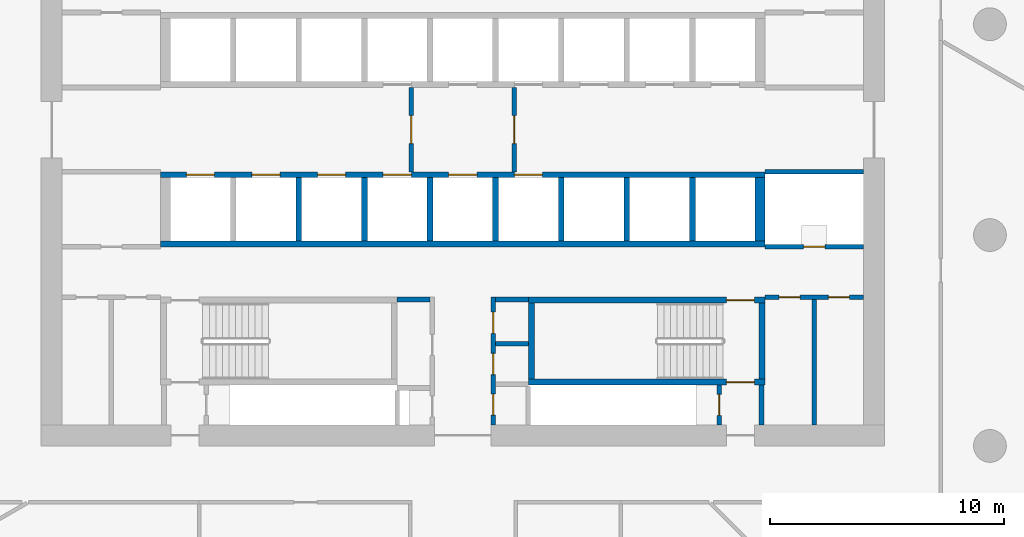
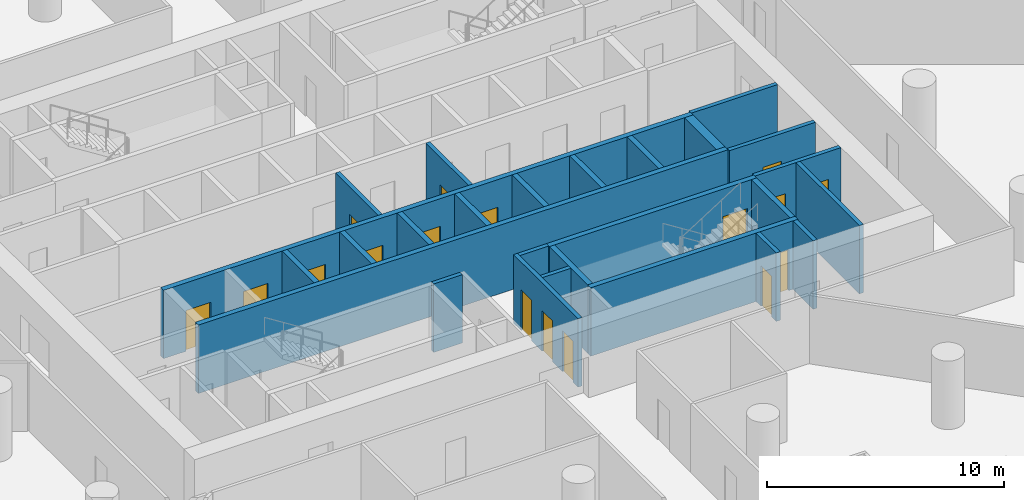
# One storey, part 4 of 10: 26 walls, 17 doors, 17 openings.
"""IFC4 building model written with IfcOpenShell, lengths in metres."""

from ifc_helpers import new_model, si_unit, direction, frame, frame_2d, origin, place, context, subcontext, project, spatial, polyline, rectangle, outline, extrude, material, layer, layer_set, type_object, element, fill, save


model = new_model("IFC4")

# Units and contexts
model_context = context("Model", 3, precision=1e-05, world=origin(), true_north=direction((0.0, 1.0)))
body_context = subcontext(model_context, "Body", "Model", "MODEL_VIEW")
ifc_project = project(units=[si_unit("LENGTHUNIT", "METRE"), si_unit("AREAUNIT", "SQUARE_METRE"), si_unit("VOLUMEUNIT", "CUBIC_METRE"), si_unit("PLANEANGLEUNIT", "RADIAN"), si_unit("MASSUNIT", "GRAM", prefix="KILO")], contexts=[model_context])

# Site, building, storey
site_placement = place(None, origin())
site = spatial("IfcSite", under=ifc_project, at=site_placement, CompositionType="ELEMENT")
building_placement = place(site_placement, origin())
building = spatial("IfcBuilding", under=site, at=building_placement, Name="Dhurran Vertical Campus", CompositionType="ELEMENT")
storey_placement = place(building_placement, frame((0.0, 0.0, 45.60009765625)))
storey = spatial("IfcBuildingStorey", under=building, at=storey_placement, Name="L10", CompositionType="ELEMENT", Elevation=45.60009765625)

# Wall, opening, door
ifc_material_1 = material(Name="Fire-rated masonry blockwork", Category="masonry")
ifc_layer_1 = layer(ifc_material_1, 0.199951171875)
ifc_layer_set_1 = layer_set([ifc_layer_1], Name="Fire-rated masonry blockwork")
wall_type_1 = type_object("IfcWallType", Name="co-FIRE-PARTITION-200", PredefinedType="PARTITIONING", material=ifc_layer_set_1)
wall_1_placement = place(storey_placement, frame((-2.199951171875, -1.800048828125, 0.0), z_axis=(0.0, 0.0, 1.0), x_axis=(0.0, 1.0, 0.0)))
wall_1 = element("IfcWall", 1, at=wall_1_placement, inside=storey, type_object=wall_type_1, Name="Firefighting lobby wall W L10", PredefinedType="PARTITIONING", context=body_context, shape_type="SweptSolid", body=[
    extrude(rectangle(XDim=3.60009765625, YDim=0.199951171875, at=frame_2d((1.800048828125, 0.0))), origin(), (0.0, 0.0, 1.0), 3.52490234375),
])
opening_1_placement = place(wall_1_placement, frame((1.199951171875, 0.0, 0.0)))
opening_1 = element("IfcOpeningElement", 2, at=opening_1_placement, cuts=wall_1, Name="Opening FL1", PredefinedType="OPENING", context=body_context, shape_type="SweptSolid", body=[
    extrude(rectangle(XDim=1.199951171875, YDim=2.10009765625, at=frame_2d((0.60009765625, 1.050048828125))), frame((0.0, 0.10986328125, 0.0), z_axis=(0.0, -1.0, 0.0), x_axis=(1.0, 0.0, 0.0)), (0.0, 0.0, 1.0), 0.219970703125),
])
ifc_material_2 = material(Name="Fire-rated steel door set", Category="steel")
door_type_1 = type_object("IfcDoorType", Name="co-D-FFLOBBY 1200x2100", OperationType="SINGLE_SWING_LEFT", PredefinedType="DOOR", material=ifc_material_2)
door_1_placement = place(opening_1_placement, origin())
door_1 = element("IfcDoor", 3, at=door_1_placement, inside=storey, type_object=door_type_1, Name="Firefighting lobby door W L10", OperationType="SINGLE_SWING_LEFT", OverallHeight=2.10009765625, OverallWidth=1.199951171875, PredefinedType="DOOR", context=body_context, shape_type="SweptSolid", body=[
    extrude(rectangle(XDim=1.199951171875, YDim=2.10009765625, at=frame_2d((0.60009765625, 1.050048828125))), frame((0.0, 0.02490234375, 0.0), z_axis=(0.0, -1.0, 0.0), x_axis=(1.0, 0.0, 0.0)), (0.0, 0.0, 1.0), 0.050048828125),
])
fill(opening_1, door_1)

wall_2_placement = place(storey_placement, frame((2.199951171875, -1.800048828125, 0.0), z_axis=(0.0, 0.0, 1.0), x_axis=(0.0, 1.0, 0.0)))
wall_2 = element("IfcWall", 4, at=wall_2_placement, inside=storey, type_object=wall_type_1, Name="Firefighting lobby wall E L10", PredefinedType="PARTITIONING", context=body_context, shape_type="SweptSolid", body=[
    extrude(rectangle(XDim=3.60009765625, YDim=0.199951171875, at=frame_2d((1.800048828125, 0.0))), origin(), (0.0, 0.0, 1.0), 3.52490234375),
])
opening_2_placement = place(wall_2_placement, frame((1.199951171875, 0.0, 0.0)))
opening_2 = element("IfcOpeningElement", 5, at=opening_2_placement, cuts=wall_2, Name="Opening FL2", PredefinedType="OPENING", context=body_context, shape_type="SweptSolid", body=[
    extrude(rectangle(XDim=1.199951171875, YDim=2.10009765625, at=frame_2d((0.60009765625, 1.050048828125))), frame((0.0, 0.10986328125, 0.0), z_axis=(0.0, -1.0, 0.0), x_axis=(1.0, 0.0, 0.0)), (0.0, 0.0, 1.0), 0.219970703125),
])
door_2_placement = place(opening_2_placement, origin())
door_2 = element("IfcDoor", 6, at=door_2_placement, inside=storey, type_object=door_type_1, Name="Firefighting lobby door E L10", OperationType="SINGLE_SWING_LEFT", OverallHeight=2.10009765625, OverallWidth=1.199951171875, PredefinedType="DOOR", context=body_context, shape_type="SweptSolid", body=[
    extrude(rectangle(XDim=1.199951171875, YDim=2.10009765625, at=frame_2d((0.60009765625, 1.050048828125))), frame((0.0, 0.02490234375, 0.0), z_axis=(0.0, -1.0, 0.0), x_axis=(1.0, 0.0, 0.0)), (0.0, 0.0, 1.0), 0.050048828125),
])
fill(opening_2, door_2)

# Walls
for number, where, z_axis, x_axis, name in (
    (7, (-2.800048828125, -7.25, 0.0), (0.0, 0.0, 1.0), (1.0, 0.0, 0.0), "Core partition sl-SW-S L10"),
    (8, (1.39990234375, -7.25, 0.0), (0.0, 0.0, 1.0), (1.0, 0.0, 0.0), "Core partition sl-SE-S L10"),
    (9, (1.39990234375, -9.135009765625, 0.0), (0.0, 0.0, 1.0), (1.0, 0.0, 0.0), "Core partition sl-SE-cut0 L10"),
):
    element("IfcWall", number, at=place(storey_placement, frame(where, z_axis=z_axis, x_axis=x_axis)), inside=storey, type_object=wall_type_1, Name=name, PredefinedType="PARTITIONING", context=body_context, shape_type="SweptSolid", body=[
        extrude(rectangle(XDim=1.400146484375, YDim=0.199951171875, at=frame_2d((0.7001953125, 0.0))), origin(), (0.0, 0.0, 1.0), 3.52490234375),
    ])

# Wall, openings, doors
wall_3_placement = place(storey_placement, frame((1.300048828125, -12.60009765625, 0.0), z_axis=(0.0, 0.0, 1.0), x_axis=(0.0, 1.0, 0.0)))
wall_3 = element("IfcWall", 10, at=wall_3_placement, inside=storey, type_object=wall_type_1, Name="Core partition vest-SE L10", PredefinedType="PARTITIONING", context=body_context, shape_type="SweptSolid", body=[
    extrude(rectangle(XDim=5.4501953125, YDim=0.199951171875, at=frame_2d((2.72509765625, 0.0))), origin(), (0.0, 0.0, 1.0), 3.52490234375),
])
opening_3_placement = place(wall_3_placement, frame((0.416259765625, 0.0, 0.0)))
opening_3 = element("IfcOpeningElement", 11, at=opening_3_placement, cuts=wall_3, Name="Opening T02-C3", PredefinedType="OPENING", context=body_context, shape_type="SweptSolid", body=[
    extrude(rectangle(XDim=0.89990234375, YDim=2.10009765625, at=frame_2d((0.449951171875, 1.050048828125))), frame((0.0, 0.10986328125, 0.0), z_axis=(0.0, -1.0, 0.0), x_axis=(1.0, 0.0, 0.0)), (0.0, 0.0, 1.0), 0.219970703125),
])
opening_4_placement = place(wall_3_placement, frame((2.148681640625, 0.0, 0.0)))
opening_4 = element("IfcOpeningElement", 12, at=opening_4_placement, cuts=wall_3, Name="Opening T02-C4", PredefinedType="OPENING", context=body_context, shape_type="SweptSolid", body=[
    extrude(rectangle(XDim=0.89990234375, YDim=2.10009765625, at=frame_2d((0.449951171875, 1.050048828125))), frame((0.0, 0.10986328125, 0.0), z_axis=(0.0, -1.0, 0.0), x_axis=(1.0, 0.0, 0.0)), (0.0, 0.0, 1.0), 0.219970703125),
])
opening_5_placement = place(wall_3_placement, frame((3.907470703125, 0.0, 0.0)))
opening_5 = element("IfcOpeningElement", 13, at=opening_5_placement, cuts=wall_3, Name="Opening T02-C5", PredefinedType="OPENING", context=body_context, shape_type="SweptSolid", body=[
    extrude(rectangle(XDim=0.89990234375, YDim=2.10009765625, at=frame_2d((0.449951171875, 1.050048828125))), frame((0.0, 0.10986328125, 0.0), z_axis=(0.0, -1.0, 0.0), x_axis=(1.0, 0.0, 0.0)), (0.0, 0.0, 1.0), 0.219970703125),
])
ifc_material_3 = material(Name="Fire-rated timber door set", Category="wood")
door_type_2 = type_object("IfcDoorType", Name="co-D-ROOM 900x2100", OperationType="SINGLE_SWING_LEFT", PredefinedType="DOOR", material=ifc_material_3)
door_3_placement = place(opening_3_placement, origin())
door_3 = element("IfcDoor", 14, at=door_3_placement, inside=storey, type_object=door_type_2, Name="Housekeeping store door L10", OperationType="SINGLE_SWING_LEFT", OverallHeight=2.10009765625, OverallWidth=0.89990234375, PredefinedType="DOOR", context=body_context, shape_type="SweptSolid", body=[
    extrude(rectangle(XDim=0.89990234375, YDim=2.10009765625, at=frame_2d((0.449951171875, 1.050048828125))), frame((0.0, 0.02490234375, 0.0), z_axis=(0.0, -1.0, 0.0), x_axis=(1.0, 0.0, 0.0)), (0.0, 0.0, 1.0), 0.050048828125),
])
fill(opening_3, door_3)
door_4_placement = place(opening_4_placement, origin())
door_4 = element("IfcDoor", 15, at=door_4_placement, inside=storey, type_object=door_type_2, Name="Print room door L10", OperationType="SINGLE_SWING_LEFT", OverallHeight=2.10009765625, OverallWidth=0.89990234375, PredefinedType="DOOR", context=body_context, shape_type="SweptSolid", body=[
    extrude(rectangle(XDim=0.89990234375, YDim=2.10009765625, at=frame_2d((0.449951171875, 1.050048828125))), frame((0.0, 0.02490234375, 0.0), z_axis=(0.0, -1.0, 0.0), x_axis=(1.0, 0.0, 0.0)), (0.0, 0.0, 1.0), 0.050048828125),
])
fill(opening_4, door_4)
door_5_placement = place(opening_5_placement, origin())
door_5 = element("IfcDoor", 16, at=door_5_placement, inside=storey, type_object=door_type_2, Name="Communications room door L10", OperationType="SINGLE_SWING_LEFT", OverallHeight=2.10009765625, OverallWidth=0.89990234375, PredefinedType="DOOR", context=body_context, shape_type="SweptSolid", body=[
    extrude(rectangle(XDim=0.89990234375, YDim=2.10009765625, at=frame_2d((0.449951171875, 1.050048828125))), frame((0.0, 0.02490234375, 0.0), z_axis=(0.0, -1.0, 0.0), x_axis=(1.0, 0.0, 0.0)), (0.0, 0.0, 1.0), 0.050048828125),
])
fill(opening_5, door_5)

# Wall
wall_4_placement = place(storey_placement, frame((12.75, -12.60009765625, 0.0), z_axis=(0.0, 0.0, 1.0), x_axis=(0.0, 1.0, 0.0)))
element("IfcWall", 17, at=wall_4_placement, inside=storey, type_object=wall_type_1, Name="Core partition pass-ST4-o L10", PredefinedType="PARTITIONING", context=body_context, shape_type="SweptSolid", body=[
    extrude(rectangle(XDim=1.7001953125, YDim=0.199951171875, at=frame_2d((0.85009765625, 0.0))), origin(), (0.0, 0.0, 1.0), 3.52490234375),
])

# Wall, opening, door
wall_5_placement = place(storey_placement, frame((10.949951171875, -12.60009765625, 0.0), z_axis=(0.0, 0.0, 1.0), x_axis=(0.0, 1.0, 0.0)))
wall_5 = element("IfcWall", 18, at=wall_5_placement, inside=storey, type_object=wall_type_1, Name="Core partition pass-ST4-i L10", PredefinedType="PARTITIONING", context=body_context, shape_type="SweptSolid", body=[
    extrude(rectangle(XDim=1.7001953125, YDim=0.199951171875, at=frame_2d((0.85009765625, 0.0))), origin(), (0.0, 0.0, 1.0), 3.52490234375),
])
opening_6_placement = place(wall_5_placement, frame((0.39990234375, 0.0, 0.0)))
opening_6 = element("IfcOpeningElement", 19, at=opening_6_placement, cuts=wall_5, Name="Opening T02-C13", PredefinedType="OPENING", context=body_context, shape_type="SweptSolid", body=[
    extrude(rectangle(XDim=0.89990234375, YDim=2.10009765625, at=frame_2d((0.449951171875, 1.050048828125))), frame((0.0, 0.10986328125, 0.0), z_axis=(0.0, -1.0, 0.0), x_axis=(1.0, 0.0, 0.0)), (0.0, 0.0, 1.0), 0.219970703125),
])
door_6_placement = place(opening_6_placement, origin())
door_6 = element("IfcDoor", 20, at=door_6_placement, inside=storey, type_object=door_type_2, Name="Riser room door L10", OperationType="SINGLE_SWING_LEFT", OverallHeight=2.10009765625, OverallWidth=0.89990234375, PredefinedType="DOOR", context=body_context, shape_type="SweptSolid", body=[
    extrude(rectangle(XDim=0.89990234375, YDim=2.10009765625, at=frame_2d((0.449951171875, 1.050048828125))), frame((0.0, 0.02490234375, 0.0), z_axis=(0.0, -1.0, 0.0), x_axis=(1.0, 0.0, 0.0)), (0.0, 0.0, 1.0), 0.050048828125),
])
fill(opening_6, door_6)

# Wall
wall_6_placement = place(storey_placement, frame((15.0, -12.60009765625, 0.0), z_axis=(0.0, 0.0, 1.0), x_axis=(0.0, 1.0, 0.0)))
element("IfcWall", 21, at=wall_6_placement, inside=storey, type_object=wall_type_1, Name="Core partition en-SE-cut0 L10", PredefinedType="PARTITIONING", context=body_context, shape_type="SweptSolid", body=[
    extrude(rectangle(XDim=5.4501953125, YDim=0.199951171875, at=frame_2d((2.72509765625, 0.0))), origin(), (0.0, 0.0, 1.0), 3.52490234375),
])

# Wall, openings, doors
wall_7_placement = place(storey_placement, frame((12.89990234375, -7.14990234375, 0.0), z_axis=(0.0, 0.0, 1.0), x_axis=(1.0, 0.0, 0.0)))
wall_7 = element("IfcWall", 22, at=wall_7_placement, inside=storey, type_object=wall_type_1, Name="Core partition en-SE-w L10", PredefinedType="PARTITIONING", context=body_context, shape_type="SweptSolid", body=[
    extrude(rectangle(XDim=4.2001953125, YDim=0.199951171875, at=frame_2d((2.10009765625, 0.0))), origin(), (0.0, 0.0, 1.0), 3.52490234375),
])
opening_7_placement = place(wall_7_placement, frame((0.60009765625, 0.0, 0.0)))
opening_7 = element("IfcOpeningElement", 23, at=opening_7_placement, cuts=wall_7, Name="Opening T02-C22", PredefinedType="OPENING", context=body_context, shape_type="SweptSolid", body=[
    extrude(rectangle(XDim=0.89990234375, YDim=2.10009765625, at=frame_2d((0.449951171875, 1.050048828125))), frame((0.0, 0.10986328125, 0.0), z_axis=(0.0, -1.0, 0.0), x_axis=(1.0, 0.0, 0.0)), (0.0, 0.0, 1.0), 0.219970703125),
])
opening_8_placement = place(wall_7_placement, frame((2.699951171875, 0.0, 0.0)))
opening_8 = element("IfcOpeningElement", 24, at=opening_8_placement, cuts=wall_7, Name="Opening T02-C23", PredefinedType="OPENING", context=body_context, shape_type="SweptSolid", body=[
    extrude(rectangle(XDim=0.89990234375, YDim=2.10009765625, at=frame_2d((0.449951171875, 1.050048828125))), frame((0.0, 0.10986328125, 0.0), z_axis=(0.0, -1.0, 0.0), x_axis=(1.0, 0.0, 0.0)), (0.0, 0.0, 1.0), 0.219970703125),
])
door_7_placement = place(opening_7_placement, origin())
door_7 = element("IfcDoor", 25, at=door_7_placement, inside=storey, type_object=door_type_2, Name="Store door L10", OperationType="SINGLE_SWING_LEFT", OverallHeight=2.10009765625, OverallWidth=0.89990234375, PredefinedType="DOOR", context=body_context, shape_type="SweptSolid", body=[
    extrude(rectangle(XDim=0.89990234375, YDim=2.10009765625, at=frame_2d((0.449951171875, 1.050048828125))), frame((0.0, 0.02490234375, 0.0), z_axis=(0.0, -1.0, 0.0), x_axis=(1.0, 0.0, 0.0)), (0.0, 0.0, 1.0), 0.050048828125),
])
fill(opening_7, door_7)
door_8_placement = place(opening_8_placement, origin())
door_8 = element("IfcDoor", 26, at=door_8_placement, inside=storey, type_object=door_type_2, Name="Housekeeping store door L10", OperationType="SINGLE_SWING_LEFT", OverallHeight=2.10009765625, OverallWidth=0.89990234375, PredefinedType="DOOR", context=body_context, shape_type="SweptSolid", body=[
    extrude(rectangle(XDim=0.89990234375, YDim=2.10009765625, at=frame_2d((0.449951171875, 1.050048828125))), frame((0.0, 0.02490234375, 0.0), z_axis=(0.0, -1.0, 0.0), x_axis=(1.0, 0.0, 0.0)), (0.0, 0.0, 1.0), 0.050048828125),
])
fill(opening_8, door_8)

# Wall, opening, door
wall_8_placement = place(storey_placement, frame((12.89990234375, -5.0, 0.0), z_axis=(0.0, 0.0, 1.0), x_axis=(1.0, 0.0, 0.0)))
wall_8 = element("IfcWall", 27, at=wall_8_placement, inside=storey, type_object=wall_type_1, Name="Core partition es-SE-w L10", PredefinedType="PARTITIONING", context=body_context, shape_type="SweptSolid", body=[
    extrude(rectangle(XDim=4.2001953125, YDim=0.199951171875, at=frame_2d((2.10009765625, 0.0))), origin(), (0.0, 0.0, 1.0), 3.52490234375),
])
opening_9_placement = place(wall_8_placement, frame((1.64990234375, 0.0, 0.0)))
opening_9 = element("IfcOpeningElement", 28, at=opening_9_placement, cuts=wall_8, Name="Opening T02-C24", PredefinedType="OPENING", context=body_context, shape_type="SweptSolid", body=[
    extrude(rectangle(XDim=0.89990234375, YDim=2.10009765625, at=frame_2d((0.449951171875, 1.050048828125))), frame((0.0, 0.10986328125, 0.0), z_axis=(0.0, -1.0, 0.0), x_axis=(1.0, 0.0, 0.0)), (0.0, 0.0, 1.0), 0.219970703125),
])
door_9_placement = place(opening_9_placement, origin())
door_9 = element("IfcDoor", 29, at=door_9_placement, inside=storey, type_object=door_type_2, Name="Water riser door L10", OperationType="SINGLE_SWING_LEFT", OverallHeight=2.10009765625, OverallWidth=0.89990234375, PredefinedType="DOOR", context=body_context, shape_type="SweptSolid", body=[
    extrude(rectangle(XDim=0.89990234375, YDim=2.10009765625, at=frame_2d((0.449951171875, 1.050048828125))), frame((0.0, 0.02490234375, 0.0), z_axis=(0.0, -1.0, 0.0), x_axis=(1.0, 0.0, 0.0)), (0.0, 0.0, 1.0), 0.050048828125),
])
fill(opening_9, door_9)

# Wall
wall_9_placement = place(storey_placement, frame((12.89990234375, -1.800048828125, 0.0), z_axis=(0.0, 0.0, 1.0), x_axis=(1.0, 0.0, 0.0)))
element("IfcWall", 30, at=wall_9_placement, inside=storey, type_object=wall_type_1, Name="Core partition es-SE-l L10", PredefinedType="PARTITIONING", context=body_context, shape_type="SweptSolid", body=[
    extrude(rectangle(XDim=4.2001953125, YDim=0.199951171875, at=frame_2d((2.10009765625, 0.0))), origin(), (0.0, 0.0, 1.0), 3.52490234375),
])

# Wall, openings, doors
ifc_material_4 = material(Name="Concrete C50/60", Category="concrete")
ifc_layer_2 = layer(ifc_material_4, 0.25)
ifc_layer_set_2 = layer_set([ifc_layer_2], Name="Concrete C50/60")
wall_type_2 = type_object("IfcWallType", Name="co-SHAFT-FRONT-250", PredefinedType="SHEAR", material=ifc_layer_set_2)
wall_10_placement = place(storey_placement, frame((-12.89990234375, -1.925048828125, 0.0), z_axis=(0.0, 0.0, 1.0), x_axis=(1.0, 0.0, 0.0)))
wall_10 = element("IfcWall", 31, at=wall_10_placement, inside=storey, type_object=wall_type_2, Name="Lift landing wall S L10", PredefinedType="SHEAR", context=body_context, shape_type="SweptSolid", body=[
    extrude(rectangle(XDim=25.7998046875, YDim=0.25, at=frame_2d((12.89990234375, 0.0))), origin(), (0.0, 0.0, 1.0), 3.52490234375),
])
opening_10_placement = place(wall_10_placement, frame((1.10009765625, 0.0, 0.0)))
opening_10 = element("IfcOpeningElement", 32, at=opening_10_placement, cuts=wall_10, Name="Opening LD", PredefinedType="OPENING", context=body_context, shape_type="SweptSolid", body=[
    extrude(rectangle(XDim=1.199951171875, YDim=2.10009765625, at=frame_2d((0.60009765625, 1.050048828125))), frame((0.0, 0.135009765625, 0.0), z_axis=(0.0, -1.0, 0.0), x_axis=(1.0, 0.0, 0.0)), (0.0, 0.0, 1.0), 0.27001953125),
])
opening_11_placement = place(wall_10_placement, frame((3.89990234375, 0.0, 0.0)))
opening_11 = element("IfcOpeningElement", 33, at=opening_11_placement, cuts=wall_10, Name="Opening LD", PredefinedType="OPENING", context=body_context, shape_type="SweptSolid", body=[
    extrude(rectangle(XDim=1.199951171875, YDim=2.10009765625, at=frame_2d((0.60009765625, 1.050048828125))), frame((0.0, 0.135009765625, 0.0), z_axis=(0.0, -1.0, 0.0), x_axis=(1.0, 0.0, 0.0)), (0.0, 0.0, 1.0), 0.27001953125),
])
opening_12_placement = place(wall_10_placement, frame((6.699951171875, 0.0, 0.0)))
opening_12 = element("IfcOpeningElement", 34, at=opening_12_placement, cuts=wall_10, Name="Opening LD", PredefinedType="OPENING", context=body_context, shape_type="SweptSolid", body=[
    extrude(rectangle(XDim=1.199951171875, YDim=2.10009765625, at=frame_2d((0.60009765625, 1.050048828125))), frame((0.0, 0.135009765625, 0.0), z_axis=(0.0, -1.0, 0.0), x_axis=(1.0, 0.0, 0.0)), (0.0, 0.0, 1.0), 0.27001953125),
])
opening_13_placement = place(wall_10_placement, frame((9.5, 0.0, 0.0)))
opening_13 = element("IfcOpeningElement", 35, at=opening_13_placement, cuts=wall_10, Name="Opening LD", PredefinedType="OPENING", context=body_context, shape_type="SweptSolid", body=[
    extrude(rectangle(XDim=1.199951171875, YDim=2.10009765625, at=frame_2d((0.60009765625, 1.050048828125))), frame((0.0, 0.135009765625, 0.0), z_axis=(0.0, -1.0, 0.0), x_axis=(1.0, 0.0, 0.0)), (0.0, 0.0, 1.0), 0.27001953125),
])
opening_14_placement = place(wall_10_placement, frame((12.300048828125, 0.0, 0.0)))
opening_14 = element("IfcOpeningElement", 36, at=opening_14_placement, cuts=wall_10, Name="Opening LD", PredefinedType="OPENING", context=body_context, shape_type="SweptSolid", body=[
    extrude(rectangle(XDim=1.199951171875, YDim=2.10009765625, at=frame_2d((0.60009765625, 1.050048828125))), frame((0.0, 0.135009765625, 0.0), z_axis=(0.0, -1.0, 0.0), x_axis=(1.0, 0.0, 0.0)), (0.0, 0.0, 1.0), 0.27001953125),
])
opening_15_placement = place(wall_10_placement, frame((15.10009765625, 0.0, 0.0)))
opening_15 = element("IfcOpeningElement", 37, at=opening_15_placement, cuts=wall_10, Name="Opening LD", PredefinedType="OPENING", context=body_context, shape_type="SweptSolid", body=[
    extrude(rectangle(XDim=1.199951171875, YDim=2.10009765625, at=frame_2d((0.60009765625, 1.050048828125))), frame((0.0, 0.135009765625, 0.0), z_axis=(0.0, -1.0, 0.0), x_axis=(1.0, 0.0, 0.0)), (0.0, 0.0, 1.0), 0.27001953125),
])
ifc_material_5 = material(Name="Stainless steel landing door", Category="steel")
door_type_3 = type_object("IfcDoorType", Name="co-D-LANDING 1200x2100", OperationType="DOUBLE_DOOR_SLIDING", PredefinedType="DOOR", material=ifc_material_5)
door_10_placement = place(opening_10_placement, origin())
door_10 = element("IfcDoor", 38, at=door_10_placement, inside=storey, type_object=door_type_3, Name="Landing door LR5 L10", OperationType="DOUBLE_DOOR_SLIDING", OverallHeight=2.10009765625, OverallWidth=1.199951171875, PredefinedType="DOOR", context=body_context, shape_type="SweptSolid", body=[
    extrude(rectangle(XDim=1.199951171875, YDim=2.10009765625, at=frame_2d((0.60009765625, 1.050048828125))), frame((0.0, 0.02490234375, 0.0), z_axis=(0.0, -1.0, 0.0), x_axis=(1.0, 0.0, 0.0)), (0.0, 0.0, 1.0), 0.050048828125),
])
fill(opening_10, door_10)
door_11_placement = place(opening_11_placement, origin())
door_11 = element("IfcDoor", 39, at=door_11_placement, inside=storey, type_object=door_type_3, Name="Landing door LR6 L10", OperationType="DOUBLE_DOOR_SLIDING", OverallHeight=2.10009765625, OverallWidth=1.199951171875, PredefinedType="DOOR", context=body_context, shape_type="SweptSolid", body=[
    extrude(rectangle(XDim=1.199951171875, YDim=2.10009765625, at=frame_2d((0.60009765625, 1.050048828125))), frame((0.0, 0.02490234375, 0.0), z_axis=(0.0, -1.0, 0.0), x_axis=(1.0, 0.0, 0.0)), (0.0, 0.0, 1.0), 0.050048828125),
])
fill(opening_11, door_11)
door_12_placement = place(opening_12_placement, origin())
door_12 = element("IfcDoor", 40, at=door_12_placement, inside=storey, type_object=door_type_3, Name="Landing door LR7 L10", OperationType="DOUBLE_DOOR_SLIDING", OverallHeight=2.10009765625, OverallWidth=1.199951171875, PredefinedType="DOOR", context=body_context, shape_type="SweptSolid", body=[
    extrude(rectangle(XDim=1.199951171875, YDim=2.10009765625, at=frame_2d((0.60009765625, 1.050048828125))), frame((0.0, 0.02490234375, 0.0), z_axis=(0.0, -1.0, 0.0), x_axis=(1.0, 0.0, 0.0)), (0.0, 0.0, 1.0), 0.050048828125),
])
fill(opening_12, door_12)
door_13_placement = place(opening_13_placement, origin())
door_13 = element("IfcDoor", 41, at=door_13_placement, inside=storey, type_object=door_type_3, Name="Landing door LR8 L10", OperationType="DOUBLE_DOOR_SLIDING", OverallHeight=2.10009765625, OverallWidth=1.199951171875, PredefinedType="DOOR", context=body_context, shape_type="SweptSolid", body=[
    extrude(rectangle(XDim=1.199951171875, YDim=2.10009765625, at=frame_2d((0.60009765625, 1.050048828125))), frame((0.0, 0.02490234375, 0.0), z_axis=(0.0, -1.0, 0.0), x_axis=(1.0, 0.0, 0.0)), (0.0, 0.0, 1.0), 0.050048828125),
])
fill(opening_13, door_13)
door_14_placement = place(opening_14_placement, origin())
door_14 = element("IfcDoor", 42, at=door_14_placement, inside=storey, type_object=door_type_3, Name="Landing door FF2 L10", OperationType="DOUBLE_DOOR_SLIDING", OverallHeight=2.10009765625, OverallWidth=1.199951171875, PredefinedType="DOOR", context=body_context, shape_type="SweptSolid", body=[
    extrude(rectangle(XDim=1.199951171875, YDim=2.10009765625, at=frame_2d((0.60009765625, 1.050048828125))), frame((0.0, 0.02490234375, 0.0), z_axis=(0.0, -1.0, 0.0), x_axis=(1.0, 0.0, 0.0)), (0.0, 0.0, 1.0), 0.050048828125),
])
fill(opening_14, door_14)
door_15_placement = place(opening_15_placement, origin())
door_15 = element("IfcDoor", 43, at=door_15_placement, inside=storey, type_object=door_type_3, Name="Landing door SV1 L10", OperationType="DOUBLE_DOOR_SLIDING", OverallHeight=2.10009765625, OverallWidth=1.199951171875, PredefinedType="DOOR", context=body_context, shape_type="SweptSolid", body=[
    extrude(rectangle(XDim=1.199951171875, YDim=2.10009765625, at=frame_2d((0.60009765625, 1.050048828125))), frame((0.0, 0.02490234375, 0.0), z_axis=(0.0, -1.0, 0.0), x_axis=(1.0, 0.0, 0.0)), (0.0, 0.0, 1.0), 0.050048828125),
])
fill(opening_15, door_15)

# Walls
ifc_material_6 = material(Name="Concrete C50/60", Category="concrete")
ifc_layer_3 = layer(ifc_material_6, 0.25)
ifc_layer_set_3 = layer_set([ifc_layer_3], Name="Concrete C50/60")
wall_type_3 = type_object("IfcWallType", Name="co-SHAFT-MASS-250", PredefinedType="SHEAR", material=ifc_layer_set_3)
wall_11_placement = place(storey_placement, origin())
element("IfcWall", 44, at=wall_11_placement, inside=storey, type_object=wall_type_3, Name="Lift shaft wall S L10 1", PredefinedType="SHEAR", context=body_context, shape_type="SweptSolid", body=[
    extrude(outline(polyline([(-12.89990234375, -5.0), (12.89990234375, -5.0), (12.89990234375, -4.75), (-12.89990234375, -4.75), (-12.89990234375, -5.0)])), origin(), (0.0, 0.0, 1.0), 3.52490234375),
])
wall_12_placement = place(storey_placement, origin())
element("IfcWall", 45, at=wall_12_placement, inside=storey, type_object=wall_type_3, Name="Lift shaft wall S L10 4", PredefinedType="SHEAR", context=body_context, shape_type="SweptSolid", body=[
    extrude(outline(polyline([(-7.125, -4.75), (-6.875, -4.75), (-6.875, -2.050048828125), (-7.125, -2.050048828125), (-7.125, -4.75)])), origin(), (0.0, 0.0, 1.0), 3.52490234375),
])
wall_13_placement = place(storey_placement, origin())
element("IfcWall", 46, at=wall_13_placement, inside=storey, type_object=wall_type_3, Name="Lift shaft wall S L10 5", PredefinedType="SHEAR", context=body_context, shape_type="SweptSolid", body=[
    extrude(outline(polyline([(-4.324951171875, -4.75), (-4.074951171875, -4.75), (-4.074951171875, -2.050048828125), (-4.324951171875, -2.050048828125), (-4.324951171875, -4.75)])), origin(), (0.0, 0.0, 1.0), 3.52490234375),
])
wall_14_placement = place(storey_placement, origin())
element("IfcWall", 47, at=wall_14_placement, inside=storey, type_object=wall_type_3, Name="Lift shaft wall S L10 6", PredefinedType="SHEAR", context=body_context, shape_type="SweptSolid", body=[
    extrude(outline(polyline([(-1.52490234375, -4.75), (-1.27490234375, -4.75), (-1.27490234375, -2.050048828125), (-1.52490234375, -2.050048828125), (-1.52490234375, -4.75)])), origin(), (0.0, 0.0, 1.0), 3.52490234375),
])
wall_15_placement = place(storey_placement, origin())
element("IfcWall", 48, at=wall_15_placement, inside=storey, type_object=wall_type_3, Name="Lift shaft wall S L10 7", PredefinedType="SHEAR", context=body_context, shape_type="SweptSolid", body=[
    extrude(outline(polyline([(1.27490234375, -4.75), (1.52490234375, -4.75), (1.52490234375, -2.050048828125), (1.27490234375, -2.050048828125), (1.27490234375, -4.75)])), origin(), (0.0, 0.0, 1.0), 3.52490234375),
])
wall_16_placement = place(storey_placement, origin())
element("IfcWall", 49, at=wall_16_placement, inside=storey, type_object=wall_type_3, Name="Lift shaft wall S L10 8", PredefinedType="SHEAR", context=body_context, shape_type="SweptSolid", body=[
    extrude(outline(polyline([(4.074951171875, -4.75), (4.324951171875, -4.75), (4.324951171875, -2.050048828125), (4.074951171875, -2.050048828125), (4.074951171875, -4.75)])), origin(), (0.0, 0.0, 1.0), 3.52490234375),
])
wall_17_placement = place(storey_placement, origin())
element("IfcWall", 50, at=wall_17_placement, inside=storey, type_object=wall_type_3, Name="Lift shaft wall S L10 9", PredefinedType="SHEAR", context=body_context, shape_type="SweptSolid", body=[
    extrude(outline(polyline([(6.875, -4.75), (7.125, -4.75), (7.125, -2.050048828125), (6.875, -2.050048828125), (6.875, -4.75)])), origin(), (0.0, 0.0, 1.0), 3.52490234375),
])
wall_18_placement = place(storey_placement, origin())
element("IfcWall", 51, at=wall_18_placement, inside=storey, type_object=wall_type_3, Name="Lift shaft wall S L10 10", PredefinedType="SHEAR", context=body_context, shape_type="SweptSolid", body=[
    extrude(outline(polyline([(9.675048828125, -4.75), (9.925048828125, -4.75), (9.925048828125, -2.050048828125), (9.675048828125, -2.050048828125), (9.675048828125, -4.75)])), origin(), (0.0, 0.0, 1.0), 3.52490234375),
])
wall_19_placement = place(storey_placement, origin())
element("IfcWall", 52, at=wall_19_placement, inside=storey, type_object=wall_type_3, Name="Lift shaft wall S L10 11", PredefinedType="SHEAR", context=body_context, shape_type="SweptSolid", body=[
    extrude(outline(polyline([(12.47509765625, -4.75), (12.89990234375, -4.75), (12.89990234375, -2.050048828125), (12.47509765625, -2.050048828125), (12.47509765625, -4.75)])), origin(), (0.0, 0.0, 1.0), 3.52490234375),
])

# Wall, opening, door
ifc_material_7 = material(Name="Concrete C40/50", Category="concrete")
ifc_layer_4 = layer(ifc_material_7, 0.25)
ifc_layer_set_4 = layer_set([ifc_layer_4], Name="Concrete C40/50")
wall_type_4 = type_object("IfcWallType", Name="co-STAIR-WALL-250", PredefinedType="SHEAR", material=ifc_layer_set_4)
wall_20_placement = place(storey_placement, frame((2.800048828125, -10.77490234375, 0.0), z_axis=(0.0, 0.0, 1.0), x_axis=(1.0, 0.0, 0.0)))
wall_20 = element("IfcWall", 53, at=wall_20_placement, inside=storey, type_object=wall_type_4, Name="Stair ST4 enclosure wall L10", PredefinedType="SHEAR", context=body_context, shape_type="SweptSolid", body=[
    extrude(rectangle(XDim=10.099853515625, YDim=0.25, at=frame_2d((5.0498046875, 0.0))), origin(), (0.0, 0.0, 1.0), 3.52490234375),
])
opening_16_placement = place(wall_20_placement, frame((8.449951171875, 0.0, 0.0)))
opening_16 = element("IfcOpeningElement", 54, at=opening_16_placement, cuts=wall_20, Name="Opening XS4", PredefinedType="OPENING", context=body_context, shape_type="SweptSolid", body=[
    extrude(rectangle(XDim=1.199951171875, YDim=2.10009765625, at=frame_2d((0.60009765625, 1.050048828125))), frame((0.0, 0.135009765625, 0.0), z_axis=(0.0, -1.0, 0.0), x_axis=(1.0, 0.0, 0.0)), (0.0, 0.0, 1.0), 0.27001953125),
])
ifc_material_8 = material(Name="Fire-rated steel door set", Category="steel")
door_type_4 = type_object("IfcDoorType", Name="co-D-STAIR-EXIT 1200x2100", OperationType="SINGLE_SWING_RIGHT", PredefinedType="DOOR", material=ifc_material_8)
door_16_placement = place(opening_16_placement, origin())
door_16 = element("IfcDoor", 55, at=door_16_placement, inside=storey, type_object=door_type_4, Name="Stair ST4 discharge door L10", OperationType="SINGLE_SWING_RIGHT", OverallHeight=2.10009765625, OverallWidth=1.199951171875, PredefinedType="DOOR", context=body_context, shape_type="SweptSolid", body=[
    extrude(rectangle(XDim=1.199951171875, YDim=2.10009765625, at=frame_2d((0.60009765625, 1.050048828125))), frame((0.0, 0.02490234375, 0.0), z_axis=(0.0, -1.0, 0.0), x_axis=(1.0, 0.0, 0.0)), (0.0, 0.0, 1.0), 0.050048828125),
])
fill(opening_16, door_16)

wall_21_placement = place(storey_placement, frame((2.800048828125, -7.27490234375, 0.0), z_axis=(0.0, 0.0, 1.0), x_axis=(1.0, 0.0, 0.0)))
wall_21 = element("IfcWall", 56, at=wall_21_placement, inside=storey, type_object=wall_type_4, Name="Stair ST4 enclosure wall L10", PredefinedType="SHEAR", context=body_context, shape_type="SweptSolid", body=[
    extrude(rectangle(XDim=10.099853515625, YDim=0.25, at=frame_2d((5.0498046875, 0.0))), origin(), (0.0, 0.0, 1.0), 3.52490234375),
])
opening_17_placement = place(wall_21_placement, frame((8.449951171875, 0.0, 0.0)))
opening_17 = element("IfcOpeningElement", 57, at=opening_17_placement, cuts=wall_21, Name="Opening SD4", PredefinedType="OPENING", context=body_context, shape_type="SweptSolid", body=[
    extrude(rectangle(XDim=1.199951171875, YDim=2.10009765625, at=frame_2d((0.60009765625, 1.050048828125))), frame((0.0, 0.135009765625, 0.0), z_axis=(0.0, -1.0, 0.0), x_axis=(1.0, 0.0, 0.0)), (0.0, 0.0, 1.0), 0.27001953125),
])
ifc_material_9 = material(Name="Fire-rated steel door set", Category="steel")
door_type_5 = type_object("IfcDoorType", Name="co-D-STAIR 1200x2100", OperationType="SINGLE_SWING_LEFT", PredefinedType="DOOR", material=ifc_material_9)
door_17_placement = place(opening_17_placement, origin())
door_17 = element("IfcDoor", 58, at=door_17_placement, inside=storey, type_object=door_type_5, Name="Stair ST4 door L10", OperationType="SINGLE_SWING_LEFT", OverallHeight=2.10009765625, OverallWidth=1.199951171875, PredefinedType="DOOR", context=body_context, shape_type="SweptSolid", body=[
    extrude(rectangle(XDim=1.199951171875, YDim=2.10009765625, at=frame_2d((0.60009765625, 1.050048828125))), frame((0.0, 0.02490234375, 0.0), z_axis=(0.0, -1.0, 0.0), x_axis=(1.0, 0.0, 0.0)), (0.0, 0.0, 1.0), 0.050048828125),
])
fill(opening_17, door_17)

# Walls
for number, where, z_axis, x_axis, name in (
    (59, (2.925048828125, -10.64990234375, 0.0), (0.0, 0.0, 1.0), (0.0, 1.0, 0.0), "Stair ST4 enclosure wall L10"),
    (60, (12.77490234375, -10.64990234375, 0.0), (0.0, 0.0, 1.0), (0.0, 1.0, 0.0), "Stair ST4 enclosure wall L10"),
):
    element("IfcWall", number, at=place(storey_placement, frame(where, z_axis=z_axis, x_axis=x_axis)), inside=storey, type_object=wall_type_4, Name=name, PredefinedType="SHEAR", context=body_context, shape_type="SweptSolid", body=[
        extrude(rectangle(XDim=3.25, YDim=0.25, at=frame_2d((1.625, 0.0))), origin(), (0.0, 0.0, 1.0), 3.52490234375),
    ])

save(model, "model.ifc")
